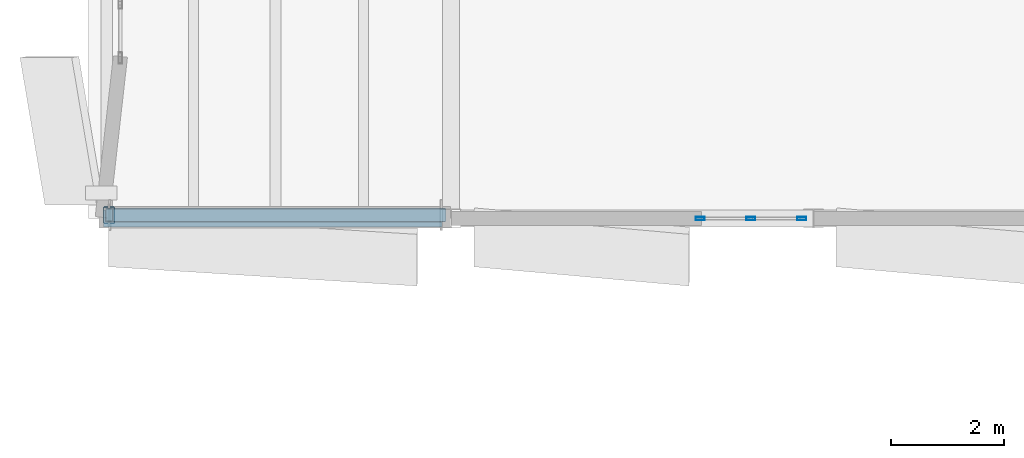
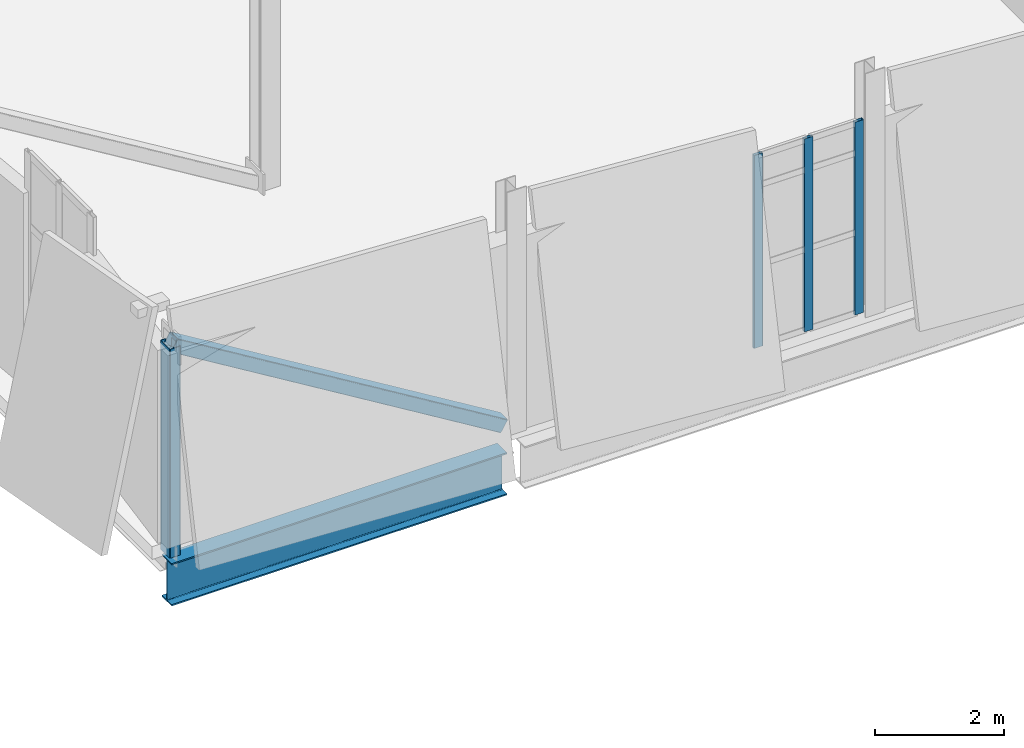
# One storey, part 4 of 74: 5 members, 1 beam, 1 element without a shape of its own.
"""IFC4 building model written with IfcOpenShell, lengths in metres."""

from ifc_helpers import new_model, si_unit, direction, frame, origin, origin_2d, place, context, subcontext, project, spatial, hollow_rectangle, i_section, extrude, material, material_profile, profile_set, type_object, element, aggregate, save


model = new_model("IFC4")

# Units and contexts
model_context = context("Model", 3, precision=1e-05, world=origin(), true_north=direction((0.0, 1.0)))
body_context = subcontext(model_context, "Body", "Model", "MODEL_VIEW")
ifc_project = project(units=[si_unit("LENGTHUNIT", "METRE"), si_unit("AREAUNIT", "SQUARE_METRE"), si_unit("VOLUMEUNIT", "CUBIC_METRE"), si_unit("PLANEANGLEUNIT", "RADIAN"), si_unit("MASSUNIT", "GRAM", prefix="KILO")], contexts=[model_context])

# Site, building, storey
site_placement = place(None, origin())
site = spatial("IfcSite", under=ifc_project, at=site_placement, CompositionType="ELEMENT")
building_placement = place(site_placement, origin())
building = spatial("IfcBuilding", under=site, at=building_placement, Name="Shengluoqiao Park Theatre", CompositionType="ELEMENT")
storey_placement = place(building_placement, frame((0.0, 0.0, 14.60009765625)))
storey = spatial("IfcBuildingStorey", under=building, at=storey_placement, Name="L03", CompositionType="ELEMENT", Elevation=14.60009765625)

# Curtain wall, members
ifc_material_1 = material(Name="Aluminium 6063-T6", Category="aluminium")
curtain_wall_type = type_object("IfcCurtainWallType", Name="ENV-CW-STUDIO", PredefinedType="NOTDEFINED", material=ifc_material_1)
curtain_wall_placement = place(storey_placement, origin())
curtain_wall = element("IfcCurtainWall", 1, at=curtain_wall_placement, inside=storey, type_object=curtain_wall_type, Name="L03 Curtain Wall CWX-L03-0030", PredefinedType="NOTDEFINED")
ifc_material_profile_1 = material_profile(ifc_material_1, hollow_rectangle(XDim=0.06005859375, YDim=0.159912109375, WallThickness=0.00390625, InnerFilletRadius=0.00390625, OuterFilletRadius=0.008056640625, at=origin_2d()), Name="ALU MULLION 160x60x4")
ifc_profile_set_1 = profile_set([ifc_material_profile_1], Name="Aluminium 6063-T6")
member_type_1 = type_object("IfcMemberType", Name="ENV-MUL-160", PredefinedType="MULLION", material=ifc_profile_set_1)
member_1_placement = place(storey_placement, frame((10.797119140625, 30.39990234375, 0.0), z_axis=(0.0, 0.0, 1.0), x_axis=(0.0, 1.0, 0.0)))
member_1 = element("IfcMember", 2, at=member_1_placement, type_object=member_type_1, Name="CW-02 mullion 1", PredefinedType="MULLION", context=body_context, shape_type="SweptSolid", body=[
    extrude(hollow_rectangle(XDim=0.06005859375, YDim=0.159912109375, WallThickness=0.00390625, InnerFilletRadius=0.00390625, OuterFilletRadius=0.008056640625, at=origin_2d()), origin(), (0.0, 0.0, 1.0), 3.637939453125),
])
member_2_placement = place(storey_placement, frame((11.694580078125, 30.39990234375, 0.0), z_axis=(0.0, 0.0, 1.0), x_axis=(0.0, 1.0, 0.0)))
member_2 = element("IfcMember", 3, at=member_2_placement, type_object=member_type_1, Name="CW-02 mullion 2", PredefinedType="MULLION", context=body_context, shape_type="SweptSolid", body=[
    extrude(hollow_rectangle(XDim=0.06005859375, YDim=0.159912109375, WallThickness=0.00390625, InnerFilletRadius=0.00390625, OuterFilletRadius=0.008056640625, at=origin_2d()), origin(), (0.0, 0.0, 1.0), 3.637939453125),
])
member_3_placement = place(storey_placement, frame((12.592041015625, 30.39990234375, 0.0), z_axis=(0.0, 0.0, 1.0), x_axis=(0.0, 1.0, 0.0)))
member_3 = element("IfcMember", 4, at=member_3_placement, type_object=member_type_1, Name="CW-02 mullion 3", PredefinedType="MULLION", context=body_context, shape_type="SweptSolid", body=[
    extrude(hollow_rectangle(XDim=0.06005859375, YDim=0.159912109375, WallThickness=0.00390625, InnerFilletRadius=0.00390625, OuterFilletRadius=0.008056640625, at=origin_2d()), origin(), (0.0, 0.0, 1.0), 3.637939453125),
])
aggregate(curtain_wall, [member_1, member_2, member_3])

# Beam
ifc_material_2 = material(Name="Steel Q390", Category="steel")
ifc_material_profile_2 = material_profile(ifc_material_2, i_section(OverallWidth=0.300048828125, OverallDepth=0.800048828125, WebThickness=0.013916015625, FlangeThickness=0.02587890625, FilletRadius=0.02587890625, at=origin_2d()), Name="HN 800x300x14x26")
ifc_profile_set_2 = profile_set([ifc_material_profile_2], Name="Steel Q390")
beam_type = type_object("IfcBeamType", Name="STR-BM-G-HN800", PredefinedType="BEAM", material=ifc_profile_set_2)
beam_placement = place(storey_placement, frame((0.260009765625, 30.39990234375, -0.72021484375), z_axis=(1.0, 0.0, 0.0), x_axis=(0.0, 1.0, 0.0)))
element("IfcBeam", 5, at=beam_placement, inside=storey, type_object=beam_type, Name="CT-V3-1 L03 Cantilever Overhang Chord", PredefinedType="BEAM", context=body_context, shape_type="SweptSolid", body=[
    extrude(i_section(OverallWidth=0.300048828125, OverallDepth=0.800048828125, WebThickness=0.013916015625, FlangeThickness=0.02587890625, FilletRadius=0.02587890625, at=origin_2d()), origin(), (0.0, 0.0, 1.0), 5.97802734375),
])

# Members
ifc_material_3 = material(Name="Steel Q355", Category="steel")
ifc_material_profile_3 = material_profile(ifc_material_3, hollow_rectangle(XDim=0.25, YDim=0.25, WallThickness=0.011962890625, InnerFilletRadius=0.011962890625, OuterFilletRadius=0.02392578125, at=origin_2d()), Name="RHS 250x250x12")
ifc_profile_set_3 = profile_set([ifc_material_profile_3], Name="Steel Q355")
member_type_2 = type_object("IfcMemberType", Name="STR-MEM-BRR-250", PredefinedType="BRACE", material=ifc_profile_set_3)
member_4_placement = place(storey_placement, frame((6.240966796875, 30.4599609375, 0.119873046875), z_axis=(-0.854171164294, 0.0, 0.519991944254), x_axis=(0.0, -1.0, 0.0)))
element("IfcMember", 6, at=member_4_placement, inside=storey, type_object=member_type_2, Name="CT-V3-1 L03 Cantilever Raking Strut", PredefinedType="BRACE", context=body_context, shape_type="SweptSolid", body=[
    extrude(hollow_rectangle(XDim=0.25, YDim=0.25, WallThickness=0.011962890625, InnerFilletRadius=0.011962890625, OuterFilletRadius=0.02392578125, at=origin_2d()), origin(), (0.0, 0.0, 1.0), 6.884765625),
])
ifc_material_profile_4 = material_profile(ifc_material_2, hollow_rectangle(XDim=0.199951171875, YDim=0.300048828125, WallThickness=0.011962890625, InnerFilletRadius=0.011962890625, OuterFilletRadius=0.02392578125, at=origin_2d()), Name="RHS 300x200x12")
ifc_profile_set_4 = profile_set([ifc_material_profile_4], Name="Steel Q390")
member_type_3 = type_object("IfcMemberType", Name="STR-MEM-PTR-302", PredefinedType="POST", material=ifc_profile_set_4)
member_5_placement = place(storey_placement, frame((0.360107421875, 30.4599609375, -0.260009765625), z_axis=(0.0, 0.0, 1.0), x_axis=(1.0, 0.0, 0.0)))
element("IfcMember", 7, at=member_5_placement, inside=storey, type_object=member_type_3, Name="CT-V3-1 L03 Cantilever Tip Post", PredefinedType="POST", context=body_context, shape_type="SweptSolid", body=[
    extrude(hollow_rectangle(XDim=0.199951171875, YDim=0.300048828125, WallThickness=0.011962890625, InnerFilletRadius=0.011962890625, OuterFilletRadius=0.02392578125, at=origin_2d()), origin(), (0.0, 0.0, 1.0), 3.93994140625),
])

save(model, "model.ifc")
